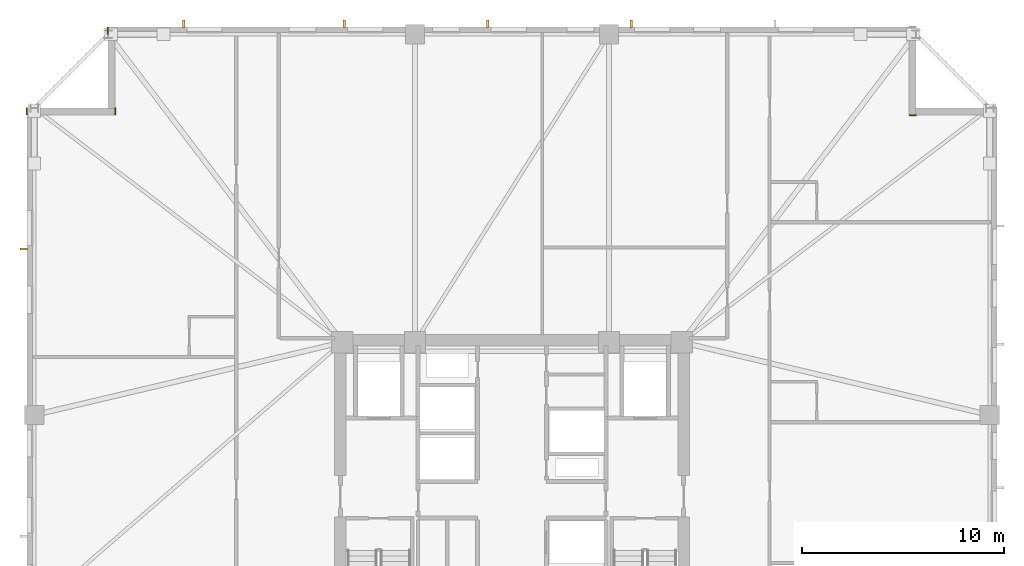
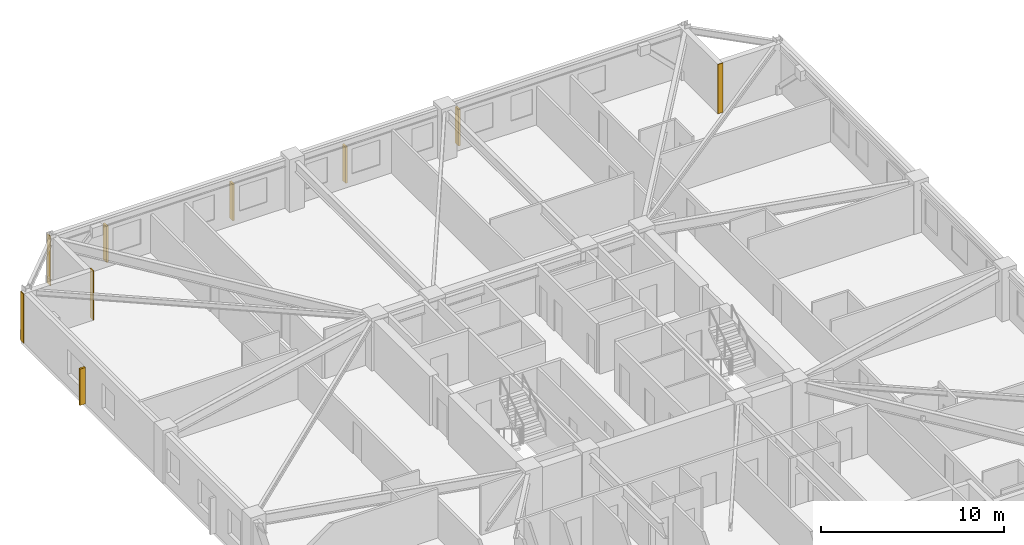
# One storey, part 10 of 11: 5 shading devices, 4 coverings.
"""IFC4 building model written with IfcOpenShell, lengths in metres."""

import ifcopenshell
import ifcopenshell.guid

model = None  # the IFC model being written
_history = None  # IfcOwnerHistory: only IFC2X3 demands one
_inside = {}  # id of a spatial element -> (the spatial element, [elements in it])
_under = {}  # id of a project, library or spatial element -> (it, [spatial elements below it])
_declared = {}  # id of a project -> (the project, [libraries it declares])
_typed = {}  # id of a type object -> (the type object, [elements of that type])
_made_of = {}  # id of a material, layer set ... -> (it, [elements and type objects made of it])


def new_model(schema):
    """Start an empty IFC model of exactly this schema.

    Asked for "IFC4X3", IfcOpenShell would pick the latest addendum, in which some entities
    have other attributes; the version numbers below select the first issue.
    IFC2X3 requires an IfcOwnerHistory on every rooted entity: one is made here for all.
    """
    global model, _history
    if schema == "IFC4X3":
        model = ifcopenshell.file(schema_version=(4, 3, 0, 0))
    else:
        model = ifcopenshell.file(schema=schema)
    _inside.clear()
    _under.clear()
    _declared.clear()
    _typed.clear()
    _made_of.clear()
    _history = None
    if model.schema == "IFC2X3":
        org = make("IfcOrganization", Name="unknown")
        user = make(
            "IfcPersonAndOrganization",
            ThePerson=make("IfcPerson", FamilyName="unknown"),
            TheOrganization=org,
        )
        app = make(
            "IfcApplication",
            ApplicationDeveloper=org,
            Version="unknown",
            ApplicationFullName="unknown",
            ApplicationIdentifier="unknown",
        )
        _history = make(
            "IfcOwnerHistory",
            OwningUser=user,
            OwningApplication=app,
            ChangeAction="ADDED",
            CreationDate=0,
        )
    return model


def make(cls, **values):
    """One entity of the class cls with the attributes given. An attribute that is None is left unset."""
    return model.create_entity(
        cls, **{name: value for name, value in values.items() if value is not None}
    )


def rooted(cls, **values):
    """An entity with a GlobalId (a new one), such as an element, a storey or a relation."""
    return make(cls, GlobalId=ifcopenshell.guid.new(), OwnerHistory=_history, **values)


def si_unit(unit_type, name, prefix=None):
    """IfcSIUnit, for example si_unit("LENGTHUNIT", "METRE", prefix="MILLI")."""
    return make("IfcSIUnit", UnitType=unit_type, Prefix=prefix, Name=name)


def assignment(units):
    """IfcUnitAssignment: the units of a project."""
    return None if units is None else make("IfcUnitAssignment", Units=units)


def point(xyz):
    """IfcCartesianPoint."""
    return None if xyz is None else make("IfcCartesianPoint", Coordinates=xyz)


def direction(xyz):
    """IfcDirection."""
    return None if xyz is None else make("IfcDirection", DirectionRatios=xyz)


def frame(location, z_axis=None, x_axis=None):
    """IfcAxis2Placement3D, a coordinate frame: its origin and axes. An axis left out is left unset."""
    return make(
        "IfcAxis2Placement3D",
        Location=point(location),
        Axis=direction(z_axis),
        RefDirection=direction(x_axis),
    )


def frame_2d(location, x_axis=None):
    """IfcAxis2Placement2D, a coordinate frame in the plane: its origin and x axis."""
    return make(
        "IfcAxis2Placement2D", Location=point(location), RefDirection=direction(x_axis)
    )


def origin():
    """The frame at (0, 0, 0) with its axes left unset."""
    return frame((0.0, 0.0, 0.0))


def origin_2d():
    """The frame at (0, 0) in the plane with its x axis left unset."""
    return frame_2d((0.0, 0.0))


def place(relative_to, where):
    """IfcLocalPlacement: puts the frame where relative to a parent placement (None: the world)."""
    return make(
        "IfcLocalPlacement", PlacementRelTo=relative_to, RelativePlacement=where
    )


def context(
    kind, dimensions, precision=None, world=None, true_north=None, identifier=None
):
    """IfcGeometricRepresentationContext, for example the 3D "Model" context."""
    return make(
        "IfcGeometricRepresentationContext",
        ContextIdentifier=identifier,
        ContextType=kind,
        CoordinateSpaceDimension=dimensions,
        Precision=precision,
        WorldCoordinateSystem=world,
        TrueNorth=true_north,
    )


def subcontext(parent, identifier, kind, view, scale=None):
    """IfcGeometricRepresentationSubContext, for example "Body" below "Model"."""
    return make(
        "IfcGeometricRepresentationSubContext",
        ContextIdentifier=identifier,
        ContextType=kind,
        ParentContext=parent,
        TargetScale=scale,
        TargetView=view,
    )


def project(units=None, contexts=None):
    """IfcProject with its units and contexts."""
    return rooted(
        "IfcProject",
        Name="project",
        RepresentationContexts=contexts,
        UnitsInContext=assignment(units),
    )


def spatial(cls, under=None, at=None, **own):
    """A site, building, storey or space (cls), placed at a placement, below another one or the project."""
    s = rooted(cls, ObjectPlacement=at, **own)
    if under is not None:
        _under.setdefault(under.id(), (under, []))[1].append(s)
    return s


def profile(cls, at=None, kind="AREA", **sizes):
    """A parametric profile (cls). Its sizes go by their IFC names, for example OverallWidth=200.0."""
    return make(cls, ProfileType=kind, Position=at, **sizes)


def rectangle(**sizes):
    """IfcRectangleProfileDef."""
    return profile("IfcRectangleProfileDef", **sizes)


def extrude(swept, where, along, depth):
    """IfcExtrudedAreaSolid: the profile swept, set in the frame where, extruded along a direction by depth."""
    return make(
        "IfcExtrudedAreaSolid",
        SweptArea=swept,
        Position=where,
        ExtrudedDirection=direction(along),
        Depth=depth,
    )


def shape(context_of_items, identifier, shape_type, items):
    """IfcShapeRepresentation: the items that make up one representation, for example the "Body"."""
    return make(
        "IfcShapeRepresentation",
        ContextOfItems=context_of_items,
        RepresentationIdentifier=identifier,
        RepresentationType=shape_type,
        Items=items,
    )


def material(Name=None, Category=None):
    """IfcMaterial."""
    return make("IfcMaterial", Name=Name, Category=Category)


def layer(
    of_material, thickness, ventilated=None, Name=None, Category=None, Priority=None
):
    """IfcMaterialLayer: one layer of a wall or slab, of a material (None: an air gap)."""
    return make(
        "IfcMaterialLayer",
        Material=of_material,
        LayerThickness=thickness,
        IsVentilated=ventilated,
        Name=Name,
        Category=Category,
        Priority=Priority,
    )


def layer_set(layers, Name=None):
    """IfcMaterialLayerSet."""
    return make("IfcMaterialLayerSet", MaterialLayers=layers, LayerSetName=Name)


def made_of(thing, what):
    """Note that an element or type object is made of a material, layer set ...; save() writes the relation."""
    if what is not None:
        _made_of.setdefault(what.id(), (what, []))[1].append(thing)
    return thing


def type_object(cls, material=None, **own):
    """A type object (cls), such as IfcWallType, which elements share."""
    return made_of(rooted(cls, **own), material)


def element(
    cls,
    number,
    at=None,
    inside=None,
    cuts=None,
    type_object=None,
    material=None,
    context=None,
    identifier="Body",
    shape_type=None,
    held_by="IfcProductDefinitionShape",
    body=None,
    shapes=None,
    **own,
):
    """One element of the class cls, such as IfcWall. Its Tag is "e" and its number.

    at: its placement. inside: the storey or other place that contains it. cuts: it is an
    opening in that element (IfcRelVoidsElement). A single representation is given by context,
    identifier, shape_type and body (its items); several are given by shapes. held_by: the class
    of the entity that holds the representations. save() writes the other relations.
    """
    e = rooted(cls, Tag="e%d" % number, ObjectPlacement=at, **own)
    if body is not None:
        shapes = [shape(context, identifier, shape_type, body)]
    if shapes is not None:
        e.Representation = make(held_by, Representations=shapes)
    if inside is not None:
        _inside.setdefault(inside.id(), (inside, []))[1].append(e)
    if cuts is not None:
        rooted(
            "IfcRelVoidsElement", RelatingBuildingElement=cuts, RelatedOpeningElement=e
        )
    if type_object is not None:
        _typed.setdefault(type_object.id(), (type_object, []))[1].append(e)
    return made_of(e, material)


def aggregate(whole, parts):
    """IfcRelAggregates: a whole, such as a stair, and the parts it consists of."""
    return rooted("IfcRelAggregates", RelatingObject=whole, RelatedObjects=parts)


def save(model, path):
    """Write the relations noted so far, then the file.

    IfcRelAggregates (storeys below a building ...), IfcRelContainedInSpatialStructure (elements
    in a storey), IfcRelDefinesByType, IfcRelAssociatesMaterial and IfcRelDeclares: one each for
    every whole, place, type object, material and project.
    """
    for whole, parts in _under.values():
        aggregate(whole, parts)
    for where, things in _inside.values():
        rooted(
            "IfcRelContainedInSpatialStructure",
            RelatedElements=things,
            RelatingStructure=where,
        )
    for kind, things in _typed.values():
        rooted("IfcRelDefinesByType", RelatedObjects=things, RelatingType=kind)
    for what, things in _made_of.values():
        rooted("IfcRelAssociatesMaterial", RelatedObjects=things, RelatingMaterial=what)
    for by, libraries in _declared.values():
        rooted("IfcRelDeclares", RelatingContext=by, RelatedDefinitions=libraries)
    model.write(path)


model = new_model("IFC4")

# Units and contexts
model_context = context("Model", 3, precision=1e-05, world=origin(), true_north=direction((0.0, 1.0)))
body_context = subcontext(model_context, "Body", "Model", "MODEL_VIEW")
ifc_project = project(units=[si_unit("LENGTHUNIT", "METRE"), si_unit("AREAUNIT", "SQUARE_METRE"), si_unit("VOLUMEUNIT", "CUBIC_METRE"), si_unit("PLANEANGLEUNIT", "RADIAN"), si_unit("MASSUNIT", "GRAM", prefix="KILO")], contexts=[model_context])

# Site, building, storey
site_placement = place(None, origin())
site = spatial("IfcSite", under=ifc_project, at=site_placement, CompositionType="ELEMENT")
building_placement = place(site_placement, origin())
building = spatial("IfcBuilding", under=site, at=building_placement, Name="Cairnveth Concourse Tower", CompositionType="ELEMENT")
storey_placement = place(building_placement, frame((0.0, 0.0, 165.5)))
storey = spatial("IfcBuildingStorey", under=building, at=storey_placement, Name="L45", CompositionType="ELEMENT", Elevation=165.5)

# Coverings
ifc_material_1 = material(Name="Dressed Melbourne Bluestone Cladding", Category="masonry")
ifc_layer = layer(ifc_material_1, 0.050048828125)
ifc_layer_set = layer_set([ifc_layer], Name="Dressed Melbourne Bluestone Cladding")
covering_type = type_object("IfcCoveringType", Name="DRESSED BLUESTONE PLINTH CLADDING 50", PredefinedType="CLADDING", material=ifc_layer_set)
for number, where, z_axis, x_axis, name in (
    (1, (27.97998046875, 58.659912109375, 0.0), (0.0, 0.0, 1.0), (0.0, 1.0, 0.0), "Melbourne Bluestone Corner Quoin L45-663"),
    (2, (32.360107421875, 58.659912109375, 0.0), (0.0, 0.0, 1.0), (0.0, 1.0, 0.0), "Melbourne Bluestone Corner Quoin L45-664"),
    (3, (31.97998046875, 62.659912109375, 0.0), (0.0, 0.0, 1.0), (0.0, 1.0, 0.0), "Melbourne Bluestone Corner Quoin L45-665"),
    (4, (71.659912109375, 58.639892578125, 0.0), (0.0, 0.0, 1.0), (1.0, 0.0, 0.0), "Melbourne Bluestone Corner Quoin L45-667"),
):
    element("IfcCovering", number, at=place(storey_placement, frame(where, z_axis=z_axis, x_axis=x_axis)), inside=storey, type_object=covering_type, Name=name, PredefinedType="CLADDING", context=body_context, shape_type="SweptSolid", body=[
        extrude(rectangle(XDim=0.340087890625, YDim=0.050048828125, at=frame_2d((0.169921875, 0.0))), origin(), (0.0, 0.0, 1.0), 3.280029296875),
    ])

# Shading devices
ifc_material_2 = material(Name="Architectural Bronze Anodised Aluminium 6063-T6", Category="aluminium")
shading_device_type = type_object("IfcShadingDeviceType", Name="GOTHIC BRONZE VERTICAL LANCET FIN", PredefinedType="USERDEFINED", material=ifc_material_2)
for number, where, z_axis, x_axis, name in (
    (5, (27.824951171875, 52.020263671875, 0.030029296875), (0.0, 0.0, 1.0), (0.0, 1.0, 0.0), "Gothic Bronze Vertical Fin L45-3-9"),
    (6, (35.74169921875, 63.175048828125, 0.030029296875), (0.0, 0.0, 1.0), (1.0, 0.0, 0.0), "Gothic Bronze Vertical Fin L45-6-1"),
    (7, (43.698974609375, 63.175048828125, 0.030029296875), (0.0, 0.0, 1.0), (1.0, 0.0, 0.0), "Gothic Bronze Vertical Fin L45-6-3"),
    (8, (50.805908203125, 63.175048828125, 0.030029296875), (0.0, 0.0, 1.0), (1.0, 0.0, 0.0), "Gothic Bronze Vertical Fin L45-6-5"),
    (9, (57.9130859375, 63.175048828125, 0.030029296875), (0.0, 0.0, 1.0), (1.0, 0.0, 0.0), "Gothic Bronze Vertical Fin L45-6-7"),
):
    element("IfcShadingDevice", number, at=place(storey_placement, frame(where, z_axis=z_axis, x_axis=x_axis)), inside=storey, type_object=shading_device_type, Name=name, ObjectType="VERTICAL FIN", PredefinedType="USERDEFINED", context=body_context, shape_type="SweptSolid", body=[
        extrude(rectangle(XDim=0.1201171875, YDim=0.360107421875, at=origin_2d()), origin(), (0.0, 0.0, 1.0), 2.419921875),
    ])

save(model, "model.ifc")
